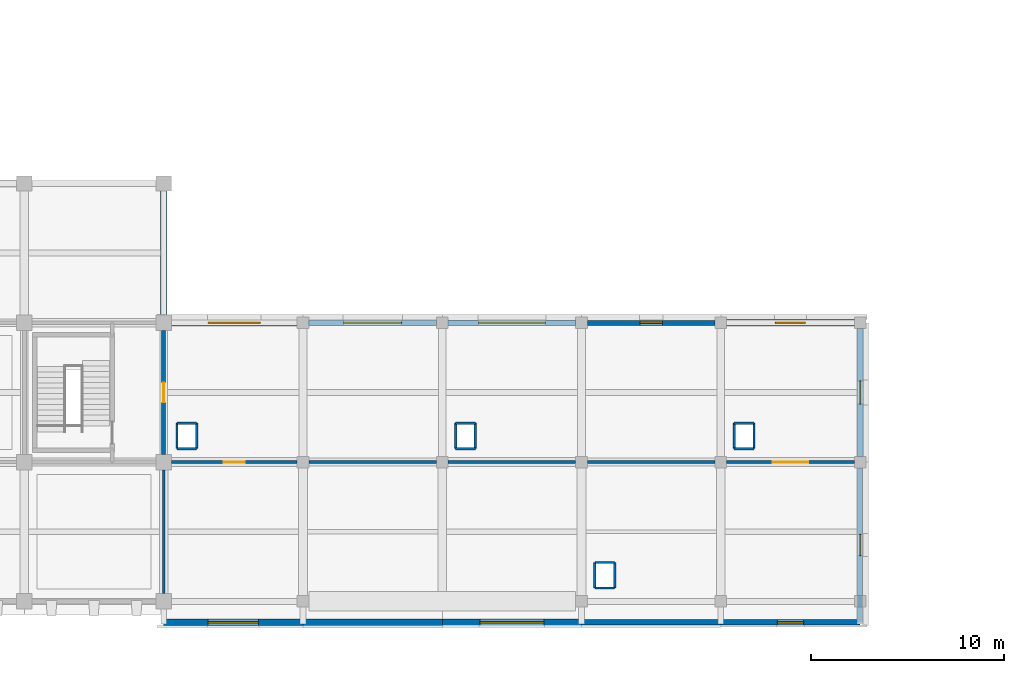
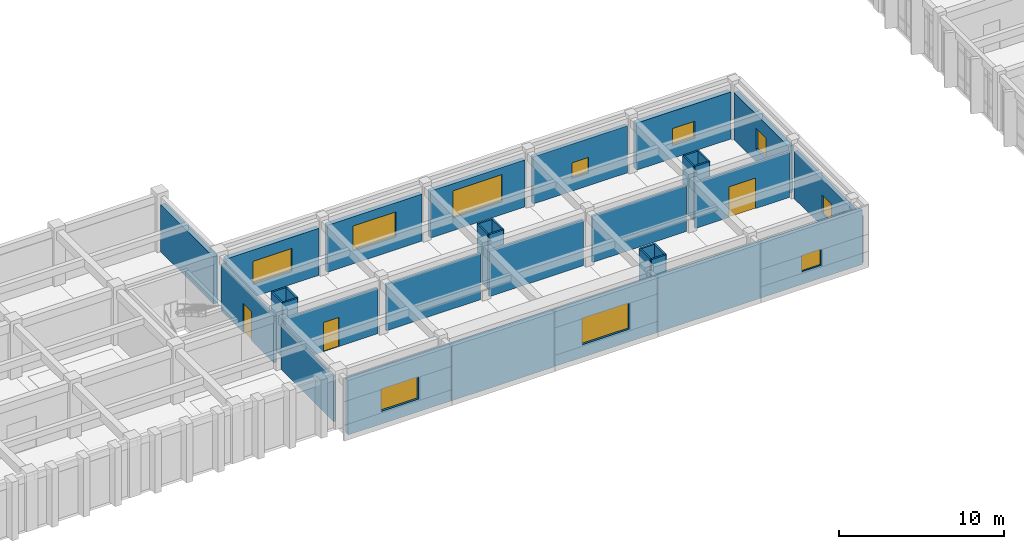
# One storey, part 52 of 70: 36 walls, 10 windows, 3 doors, 13 openings.
"""IFC4 building model written with IfcOpenShell, lengths in metres."""

from ifc_helpers import new_model, si_unit, direction, frame, frame_2d, origin, place, context, subcontext, project, spatial, rectangle, extrude, material, layer, layer_set, type_object, element, fill, save


model = new_model("IFC4")

# Units and contexts
model_context = context("Model", 3, precision=1e-05, world=origin(), true_north=direction((0.0, 1.0)))
body_context = subcontext(model_context, "Body", "Model", "MODEL_VIEW")
ifc_project = project(units=[si_unit("LENGTHUNIT", "METRE"), si_unit("AREAUNIT", "SQUARE_METRE"), si_unit("VOLUMEUNIT", "CUBIC_METRE"), si_unit("PLANEANGLEUNIT", "RADIAN"), si_unit("MASSUNIT", "GRAM", prefix="KILO")], contexts=[model_context])

# Site, building, storey
site_placement = place(None, origin())
site = spatial("IfcSite", under=ifc_project, at=site_placement, CompositionType="ELEMENT")
building_placement = place(site_placement, origin())
building = spatial("IfcBuilding", under=site, at=building_placement, Name="Kavelor Marine Aquarium", CompositionType="ELEMENT")
storey_placement = place(building_placement, frame((0.0, 0.0, 9.179931640625)))
storey = spatial("IfcBuildingStorey", under=building, at=storey_placement, Name="L02", CompositionType="ELEMENT", Elevation=9.179931640625)

# Wall
ifc_material_1 = material(Name="Concrete C45/55", Category="concrete")
ifc_layer_1 = layer(ifc_material_1, 0.360107421875)
ifc_layer_set_1 = layer_set([ifc_layer_1], Name="WL-EX1")
wall_type_1 = type_object("IfcWallType", Name="WL-EX1", PredefinedType="STANDARD", material=ifc_layer_set_1)
wall_1_placement = place(storey_placement, frame((82.39990234375, 1.719970703125, 0.0), z_axis=(0.0, 0.0, 1.0), x_axis=(-1.0, 0.0, 0.0)))
element("IfcWall", 1, at=wall_1_placement, inside=storey, type_object=wall_type_1, Name="ew:x:L02:10_00", PredefinedType="STANDARD", context=body_context, shape_type="SweptSolid", body=[
    extrude(rectangle(XDim=7.199951171875, YDim=0.360107421875, at=frame_2d((3.60009765625, 0.0))), origin(), (0.0, 0.0, 1.0), 4.030029296875),
])

# Wall, opening, window
ifc_material_2 = material(Name="Concrete C45/55", Category="concrete")
ifc_layer_2 = layer(ifc_material_2, 0.320068359375)
ifc_layer_set_2 = layer_set([ifc_layer_2], Name="WL-EX2")
wall_type_2 = type_object("IfcWallType", Name="WL-EX2", PredefinedType="STANDARD", material=ifc_layer_set_2)
wall_2_placement = place(storey_placement, frame((68.39501953125, 17.199951171875, 0.0), z_axis=(0.0, 0.0, 1.0), x_axis=(1.0, 0.0, 0.0)))
wall_2 = element("IfcWall", 2, at=wall_2_placement, inside=storey, type_object=wall_type_2, Name="ew:x:L02:09_02", PredefinedType="STANDARD", context=body_context, shape_type="SweptSolid", body=[
    extrude(rectangle(XDim=6.510009765625, YDim=0.320068359375, at=frame_2d((3.2548828125, 0.0))), origin(), (0.0, 0.0, 1.0), 3.47998046875),
])
opening_1_placement = place(wall_2_placement, frame((1.905029296875, 0.0, 0.949951171875)))
opening_1 = element("IfcOpeningElement", 3, at=opening_1_placement, cuts=wall_2, Name="Opening W17", PredefinedType="OPENING", context=body_context, shape_type="SweptSolid", body=[
    extrude(rectangle(XDim=2.699951171875, YDim=1.699951171875, at=frame_2d((1.35009765625, 0.85009765625))), frame((0.0, 0.169921875, 0.0), z_axis=(0.0, -1.0, 0.0), x_axis=(1.0, 0.0, 0.0)), (0.0, 0.0, 1.0), 0.340068),
])
ifc_material_3 = material(Name="Anodised Aluminium Frame with Low-E Double Glazing", Category="aluminium")
window_type_1 = type_object("IfcWindowType", Name="WIN-W17", PartitioningType="DOUBLE_PANEL_VERTICAL", PredefinedType="WINDOW", material=ifc_material_3)
window_1_placement = place(opening_1_placement, origin())
window_1 = element("IfcWindow", 4, at=window_1_placement, inside=storey, type_object=window_type_1, Name="win:x:L02:09_02", OverallHeight=1.699951171875, OverallWidth=2.699951171875, PartitioningType="SINGLE_PANEL", PredefinedType="WINDOW", context=body_context, shape_type="SweptSolid", body=[
    extrude(rectangle(XDim=2.699951171875, YDim=1.699951171875, at=frame_2d((1.35009765625, 0.85009765625))), frame((0.0, 0.030029296875, 0.0), z_axis=(0.0, -1.0, 0.0), x_axis=(1.0, 0.0, 0.0)), (0.0, 0.0, 1.0), 0.06005859375),
])
fill(opening_1, window_1)

wall_3_placement = place(storey_placement, frame((89.60009765625, 1.719970703125, 0.0), z_axis=(0.0, 0.0, 1.0), x_axis=(-1.0, 0.0, 0.0)))
wall_3 = element("IfcWall", 5, at=wall_3_placement, inside=storey, type_object=wall_type_2, Name="ew:x:L02:11_00", PredefinedType="STANDARD", context=body_context, shape_type="SweptSolid", body=[
    extrude(rectangle(XDim=7.2001953125, YDim=0.320068359375, at=frame_2d((3.60009765625, 0.0))), origin(), (0.0, 0.0, 1.0), 4.030029296875),
])
opening_2_placement = place(wall_3_placement, frame((1.949951171875, 0.0, 0.949951171875)))
opening_2 = element("IfcOpeningElement", 6, at=opening_2_placement, cuts=wall_3, Name="Opening W22", PredefinedType="OPENING", context=body_context, shape_type="SweptSolid", body=[
    extrude(rectangle(XDim=3.300048828125, YDim=1.949951171875, at=frame_2d((1.64990234375, 0.97509765625))), frame((0.0, 0.169921875, 0.0), z_axis=(0.0, -1.0, 0.0), x_axis=(1.0, 0.0, 0.0)), (0.0, 0.0, 1.0), 0.340068),
])
ifc_material_4 = material(Name="Anodised Aluminium Frame with Low-E Double Glazing", Category="aluminium")
window_type_2 = type_object("IfcWindowType", Name="WIN-W22", PartitioningType="DOUBLE_PANEL_VERTICAL", PredefinedType="WINDOW", material=ifc_material_4)
window_2_placement = place(opening_2_placement, origin())
window_2 = element("IfcWindow", 7, at=window_2_placement, inside=storey, type_object=window_type_2, Name="win:x:L02:11_00", OverallHeight=1.949951171875, OverallWidth=3.300048828125, PartitioningType="SINGLE_PANEL", PredefinedType="WINDOW", context=body_context, shape_type="SweptSolid", body=[
    extrude(rectangle(XDim=3.300048828125, YDim=1.949951171875, at=frame_2d((1.64990234375, 0.97509765625))), frame((0.0, 0.030029296875, 0.0), z_axis=(0.0, -1.0, 0.0), x_axis=(1.0, 0.0, 0.0)), (0.0, 0.0, 1.0), 0.06005859375),
])
fill(opening_2, window_2)

# Wall
wall_4_placement = place(storey_placement, frame((68.0, 24.0048828125, 0.0), z_axis=(0.0, 0.0, 1.0), x_axis=(0.0, -1.0, 0.0)))
element("IfcWall", 8, at=wall_4_placement, inside=storey, type_object=wall_type_2, Name="ew:y:L02:09_02", PredefinedType="STANDARD", context=body_context, shape_type="SweptSolid", body=[
    extrude(rectangle(XDim=6.409912109375, YDim=0.320068359375, at=frame_2d((3.205078125, 0.0))), origin(), (0.0, 0.0, 1.0), 3.47998046875),
])

# Wall, opening, window
ifc_material_5 = material(Name="Concrete C40/50", Category="concrete")
ifc_layer_3 = layer(ifc_material_5, 0.300048828125)
ifc_layer_set_3 = layer_set([ifc_layer_3], Name="WL-EX3")
wall_type_3 = type_object("IfcWallType", Name="WL-EX3", PredefinedType="STANDARD", material=ifc_layer_set_3)
wall_5_placement = place(storey_placement, frame((75.4951171875, 17.199951171875, 0.0), z_axis=(0.0, 0.0, 1.0), x_axis=(1.0, 0.0, 0.0)))
wall_5 = element("IfcWall", 9, at=wall_5_placement, inside=storey, type_object=wall_type_3, Name="ew:x:L02:10_02", PredefinedType="STANDARD", context=body_context, shape_type="SweptSolid", body=[
    extrude(rectangle(XDim=6.60986328125, YDim=0.300048828125, at=frame_2d((3.304931640625, 0.0))), origin(), (0.0, 0.0, 1.0), 3.47998046875),
])
opening_3_placement = place(wall_5_placement, frame((1.804931640625, 0.0, 0.949951171875)))
opening_3 = element("IfcOpeningElement", 10, at=opening_3_placement, cuts=wall_5, Name="Opening W20", PredefinedType="OPENING", context=body_context, shape_type="SweptSolid", body=[
    extrude(rectangle(XDim=3.0, YDim=1.85009765625, at=frame_2d((1.5, 0.925048828125))), frame((0.0, 0.159912109375, 0.0), z_axis=(0.0, -1.0, 0.0), x_axis=(1.0, 0.0, 0.0)), (0.0, 0.0, 1.0), 0.320049),
])
ifc_material_6 = material(Name="Anodised Aluminium Frame with Low-E Double Glazing", Category="aluminium")
window_type_3 = type_object("IfcWindowType", Name="WIN-W20", PartitioningType="DOUBLE_PANEL_VERTICAL", PredefinedType="WINDOW", material=ifc_material_6)
window_3_placement = place(opening_3_placement, origin())
window_3 = element("IfcWindow", 11, at=window_3_placement, inside=storey, type_object=window_type_3, Name="win:x:L02:10_02", OverallHeight=1.85009765625, OverallWidth=3.0, PartitioningType="SINGLE_PANEL", PredefinedType="WINDOW", context=body_context, shape_type="SweptSolid", body=[
    extrude(rectangle(XDim=3.0, YDim=1.85009765625, at=frame_2d((1.5, 0.925048828125))), frame((0.0, 0.030029296875, 0.0), z_axis=(0.0, -1.0, 0.0), x_axis=(1.0, 0.0, 0.0)), (0.0, 0.0, 1.0), 0.06005859375),
])
fill(opening_3, window_3)

# Wall
wall_6_placement = place(storey_placement, frame((96.800048828125, 1.719970703125, 0.0), z_axis=(0.0, 0.0, 1.0), x_axis=(-1.0, 0.0, 0.0)))
element("IfcWall", 12, at=wall_6_placement, inside=storey, type_object=wall_type_3, Name="ew:x:L02:12_00", PredefinedType="STANDARD", context=body_context, shape_type="SweptSolid", body=[
    extrude(rectangle(XDim=7.199951171875, YDim=0.300048828125, at=frame_2d((3.60009765625, 0.0))), origin(), (0.0, 0.0, 1.0), 4.030029296875),
])

# Wall, opening, window
ifc_material_7 = material(Name="Concrete C40/50", Category="concrete")
ifc_layer_4 = layer(ifc_material_7, 0.280029296875)
ifc_layer_set_4 = layer_set([ifc_layer_4], Name="WL-EX4")
wall_type_4 = type_object("IfcWallType", Name="WL-EX4", PredefinedType="STANDARD", material=ifc_layer_set_4)
wall_7_placement = place(storey_placement, frame((82.695068359375, 17.199951171875, 0.0), z_axis=(0.0, 0.0, 1.0), x_axis=(1.0, 0.0, 0.0)))
wall_7 = element("IfcWall", 13, at=wall_7_placement, inside=storey, type_object=wall_type_4, Name="ew:x:L02:11_02", PredefinedType="STANDARD", context=body_context, shape_type="SweptSolid", body=[
    extrude(rectangle(XDim=6.60986328125, YDim=0.280029296875, at=frame_2d((3.304931640625, 0.0))), origin(), (0.0, 0.0, 1.0), 3.47998046875),
])
opening_4_placement = place(wall_7_placement, frame((1.580078125, 0.0, 0.949951171875)))
opening_4 = element("IfcOpeningElement", 14, at=opening_4_placement, cuts=wall_7, Name="Opening W23", PredefinedType="OPENING", context=body_context, shape_type="SweptSolid", body=[
    extrude(rectangle(XDim=3.449951171875, YDim=2.0, at=frame_2d((1.72509765625, 1.0))), frame((0.0, 0.14990234375, 0.0), z_axis=(0.0, -1.0, 0.0), x_axis=(1.0, 0.0, 0.0)), (0.0, 0.0, 1.0), 0.300029),
])
ifc_material_8 = material(Name="Anodised Aluminium Frame with Low-E Double Glazing", Category="aluminium")
window_type_4 = type_object("IfcWindowType", Name="WIN-W23", PartitioningType="DOUBLE_PANEL_VERTICAL", PredefinedType="WINDOW", material=ifc_material_8)
window_4_placement = place(opening_4_placement, origin())
window_4 = element("IfcWindow", 15, at=window_4_placement, inside=storey, type_object=window_type_4, Name="win:x:L02:11_02", OverallHeight=2.0, OverallWidth=3.449951171875, PartitioningType="SINGLE_PANEL", PredefinedType="WINDOW", context=body_context, shape_type="SweptSolid", body=[
    extrude(rectangle(XDim=3.449951171875, YDim=2.0, at=frame_2d((1.72509765625, 1.0))), frame((0.0, 0.030029296875, 0.0), z_axis=(0.0, -1.0, 0.0), x_axis=(1.0, 0.0, 0.0)), (0.0, 0.0, 1.0), 0.06005859375),
])
fill(opening_4, window_4)

wall_8_placement = place(storey_placement, frame((104.0, 1.719970703125, 0.0), z_axis=(0.0, 0.0, 1.0), x_axis=(-1.0, 0.0, 0.0)))
wall_8 = element("IfcWall", 16, at=wall_8_placement, inside=storey, type_object=wall_type_4, Name="ew:x:L02:13_00", PredefinedType="STANDARD", context=body_context, shape_type="SweptSolid", body=[
    extrude(rectangle(XDim=7.199951171875, YDim=0.280029296875, at=frame_2d((3.60009765625, 0.0))), origin(), (0.0, 0.0, 1.0), 4.030029296875),
])
opening_5_placement = place(wall_8_placement, frame((2.925048828125, 0.0, 0.949951171875)))
opening_5 = element("IfcOpeningElement", 17, at=opening_5_placement, cuts=wall_8, Name="Opening W26", PredefinedType="OPENING", context=body_context, shape_type="SweptSolid", body=[
    extrude(rectangle(XDim=1.35009765625, YDim=1.199951171875, at=frame_2d((0.675048828125, 0.60009765625))), frame((0.0, 0.14990234375, 0.0), z_axis=(0.0, -1.0, 0.0), x_axis=(1.0, 0.0, 0.0)), (0.0, 0.0, 1.0), 0.300029),
])
ifc_material_9 = material(Name="Anodised Aluminium Frame with Low-E Double Glazing", Category="aluminium")
window_type_5 = type_object("IfcWindowType", Name="WIN-W26", PartitioningType="SINGLE_PANEL", PredefinedType="WINDOW", material=ifc_material_9)
window_5_placement = place(opening_5_placement, origin())
window_5 = element("IfcWindow", 18, at=window_5_placement, inside=storey, type_object=window_type_5, Name="win:x:L02:13_00", OverallHeight=1.199951171875, OverallWidth=1.35009765625, PartitioningType="SINGLE_PANEL", PredefinedType="WINDOW", context=body_context, shape_type="SweptSolid", body=[
    extrude(rectangle(XDim=1.35009765625, YDim=1.199951171875, at=frame_2d((0.675048828125, 0.60009765625))), frame((0.0, 0.030029296875, 0.0), z_axis=(0.0, -1.0, 0.0), x_axis=(1.0, 0.0, 0.0)), (0.0, 0.0, 1.0), 0.06005859375),
])
fill(opening_5, window_5)

ifc_material_10 = material(Name="Concrete C40/50", Category="concrete")
ifc_layer_5 = layer(ifc_material_10, 0.260009765625)
ifc_layer_set_5 = layer_set([ifc_layer_5], Name="WL-EX5")
wall_type_5 = type_object("IfcWallType", Name="WL-EX5", PredefinedType="STANDARD", material=ifc_layer_set_5)
wall_9_placement = place(storey_placement, frame((89.89501953125, 17.199951171875, 0.0), z_axis=(0.0, 0.0, 1.0), x_axis=(1.0, 0.0, 0.0)))
wall_9 = element("IfcWall", 19, at=wall_9_placement, inside=storey, type_object=wall_type_5, Name="ew:x:L02:12_02", PredefinedType="STANDARD", context=body_context, shape_type="SweptSolid", body=[
    extrude(rectangle(XDim=6.60986328125, YDim=0.260009765625, at=frame_2d((3.304931640625, 0.0))), origin(), (0.0, 0.0, 1.0), 3.47998046875),
])
opening_6_placement = place(wall_9_placement, frame((2.72998046875, 0.0, 0.949951171875)))
opening_6 = element("IfcOpeningElement", 20, at=opening_6_placement, cuts=wall_9, Name="Opening W25", PredefinedType="OPENING", context=body_context, shape_type="SweptSolid", body=[
    extrude(rectangle(XDim=1.14990234375, YDim=1.14990234375, at=frame_2d((0.574951171875, 0.574951171875))), frame((0.0, 0.139892578125, 0.0), z_axis=(0.0, -1.0, 0.0), x_axis=(1.0, 0.0, 0.0)), (0.0, 0.0, 1.0), 0.28001),
])
ifc_material_11 = material(Name="Anodised Aluminium Frame with Low-E Double Glazing", Category="aluminium")
window_type_6 = type_object("IfcWindowType", Name="WIN-W25", PartitioningType="SINGLE_PANEL", PredefinedType="WINDOW", material=ifc_material_11)
window_6_placement = place(opening_6_placement, origin())
window_6 = element("IfcWindow", 21, at=window_6_placement, inside=storey, type_object=window_type_6, Name="win:x:L02:12_02", OverallHeight=1.14990234375, OverallWidth=1.14990234375, PartitioningType="SINGLE_PANEL", PredefinedType="WINDOW", context=body_context, shape_type="SweptSolid", body=[
    extrude(rectangle(XDim=1.14990234375, YDim=1.14990234375, at=frame_2d((0.574951171875, 0.574951171875))), frame((0.0, 0.030029296875, 0.0), z_axis=(0.0, -1.0, 0.0), x_axis=(1.0, 0.0, 0.0)), (0.0, 0.0, 1.0), 0.06005859375),
])
fill(opening_6, window_6)

wall_10_placement = place(storey_placement, frame((104.0, 9.705078125, 0.0), z_axis=(0.0, 0.0, 1.0), x_axis=(0.0, -1.0, 0.0)))
wall_10 = element("IfcWall", 22, at=wall_10_placement, inside=storey, type_object=wall_type_5, Name="ew:y:L02:14_00", PredefinedType="STANDARD", context=body_context, shape_type="SweptSolid", body=[
    extrude(rectangle(XDim=7.985107421875, YDim=0.260009765625, at=frame_2d((3.99267578125, 0.0))), origin(), (0.0, 0.0, 1.0), 3.47998046875),
])
opening_7_placement = place(wall_10_placement, frame((3.4423828125, 0.0, 0.949951171875)))
opening_7 = element("IfcOpeningElement", 23, at=opening_7_placement, cuts=wall_10, Name="Opening W01", PredefinedType="OPENING", context=body_context, shape_type="SweptSolid", body=[
    extrude(rectangle(XDim=1.10009765625, YDim=1.39990234375, at=frame_2d((0.550048828125, 0.699951171875))), frame((0.0, 0.139892578125, 0.0), z_axis=(0.0, -1.0, 0.0), x_axis=(1.0, 0.0, 0.0)), (0.0, 0.0, 1.0), 0.28001),
])
ifc_material_12 = material(Name="Anodised Aluminium Frame with Low-E Double Glazing", Category="aluminium")
window_type_7 = type_object("IfcWindowType", Name="WIN-W01", PartitioningType="SINGLE_PANEL", PredefinedType="WINDOW", material=ifc_material_12)
window_7_placement = place(opening_7_placement, origin())
window_7 = element("IfcWindow", 24, at=window_7_placement, inside=storey, type_object=window_type_7, Name="win:y:L02:14_00", OverallHeight=1.39990234375, OverallWidth=1.10009765625, PartitioningType="SINGLE_PANEL", PredefinedType="WINDOW", context=body_context, shape_type="SweptSolid", body=[
    extrude(rectangle(XDim=1.10009765625, YDim=1.39990234375, at=frame_2d((0.550048828125, 0.699951171875))), frame((0.0, 0.030029296875, 0.0), z_axis=(0.0, -1.0, 0.0), x_axis=(1.0, 0.0, 0.0)), (0.0, 0.0, 1.0), 0.06005859375),
])
fill(opening_7, window_7)

ifc_material_13 = material(Name="Concrete C45/55", Category="concrete")
ifc_layer_6 = layer(ifc_material_13, 0.340087890625)
ifc_layer_set_6 = layer_set([ifc_layer_6], Name="WL-EX6")
wall_type_6 = type_object("IfcWallType", Name="WL-EX6", PredefinedType="STANDARD", material=ifc_layer_set_6)
wall_11_placement = place(storey_placement, frame((75.199951171875, 1.719970703125, 0.0), z_axis=(0.0, 0.0, 1.0), x_axis=(-1.0, 0.0, 0.0)))
wall_11 = element("IfcWall", 25, at=wall_11_placement, inside=storey, type_object=wall_type_6, Name="ew:x:L02:09_00", PredefinedType="STANDARD", context=body_context, shape_type="SweptSolid", body=[
    extrude(rectangle(XDim=7.199951171875, YDim=0.340087890625, at=frame_2d((3.60009765625, 0.0))), origin(), (0.0, 0.0, 1.0), 4.030029296875),
])
opening_8_placement = place(wall_11_placement, frame((2.300048828125, 0.0, 0.949951171875)))
opening_8 = element("IfcOpeningElement", 26, at=opening_8_placement, cuts=wall_11, Name="Opening W16", PredefinedType="OPENING", context=body_context, shape_type="SweptSolid", body=[
    extrude(rectangle(XDim=2.60009765625, YDim=1.64990234375, at=frame_2d((1.300048828125, 0.824951171875))), frame((0.0, 0.179931640625, 0.0), z_axis=(0.0, -1.0, 0.0), x_axis=(1.0, 0.0, 0.0)), (0.0, 0.0, 1.0), 0.360088),
])
ifc_material_14 = material(Name="Anodised Aluminium Frame with Low-E Double Glazing", Category="aluminium")
window_type_8 = type_object("IfcWindowType", Name="WIN-W16", PartitioningType="DOUBLE_PANEL_VERTICAL", PredefinedType="WINDOW", material=ifc_material_14)
window_8_placement = place(opening_8_placement, origin())
window_8 = element("IfcWindow", 27, at=window_8_placement, inside=storey, type_object=window_type_8, Name="win:x:L02:09_00", OverallHeight=1.64990234375, OverallWidth=2.60009765625, PartitioningType="SINGLE_PANEL", PredefinedType="WINDOW", context=body_context, shape_type="SweptSolid", body=[
    extrude(rectangle(XDim=2.60009765625, YDim=1.64990234375, at=frame_2d((1.300048828125, 0.824951171875))), frame((0.0, 0.030029296875, 0.0), z_axis=(0.0, -1.0, 0.0), x_axis=(1.0, 0.0, 0.0)), (0.0, 0.0, 1.0), 0.06005859375),
])
fill(opening_8, window_8)

wall_12_placement = place(storey_placement, frame((97.094970703125, 17.199951171875, 0.0), z_axis=(0.0, 0.0, 1.0), x_axis=(1.0, 0.0, 0.0)))
wall_12 = element("IfcWall", 28, at=wall_12_placement, inside=storey, type_object=wall_type_6, Name="ew:x:L02:13_02", PredefinedType="STANDARD", context=body_context, shape_type="SweptSolid", body=[
    extrude(rectangle(XDim=6.610107421875, YDim=0.340087890625, at=frame_2d((3.30517578125, 0.0))), origin(), (0.0, 0.0, 1.0), 3.47998046875),
])
opening_9_placement = place(wall_12_placement, frame((2.530029296875, 0.0, 0.949951171875)))
opening_9 = element("IfcOpeningElement", 29, at=opening_9_placement, cuts=wall_12, Name="Opening W27", PredefinedType="OPENING", context=body_context, shape_type="SweptSolid", body=[
    extrude(rectangle(XDim=1.550048828125, YDim=1.25, at=frame_2d((0.77490234375, 0.625))), frame((0.0, 0.179931640625, 0.0), z_axis=(0.0, -1.0, 0.0), x_axis=(1.0, 0.0, 0.0)), (0.0, 0.0, 1.0), 0.360088),
])
ifc_material_15 = material(Name="Anodised Aluminium Frame with Low-E Double Glazing", Category="aluminium")
window_type_9 = type_object("IfcWindowType", Name="WIN-W27", PartitioningType="SINGLE_PANEL", PredefinedType="WINDOW", material=ifc_material_15)
window_9_placement = place(opening_9_placement, origin())
window_9 = element("IfcWindow", 30, at=window_9_placement, inside=storey, type_object=window_type_9, Name="win:x:L02:13_02", OverallHeight=1.25, OverallWidth=1.550048828125, PartitioningType="SINGLE_PANEL", PredefinedType="WINDOW", context=body_context, shape_type="SweptSolid", body=[
    extrude(rectangle(XDim=1.550048828125, YDim=1.25, at=frame_2d((0.77490234375, 0.625))), frame((0.0, 0.030029296875, 0.0), z_axis=(0.0, -1.0, 0.0), x_axis=(1.0, 0.0, 0.0)), (0.0, 0.0, 1.0), 0.06005859375),
])
fill(opening_9, window_9)

wall_13_placement = place(storey_placement, frame((104.0, 16.905029296875, 0.0), z_axis=(0.0, 0.0, 1.0), x_axis=(0.0, -1.0, 0.0)))
wall_13 = element("IfcWall", 31, at=wall_13_placement, inside=storey, type_object=wall_type_6, Name="ew:y:L02:14_01", PredefinedType="STANDARD", context=body_context, shape_type="SweptSolid", body=[
    extrude(rectangle(XDim=6.610107421875, YDim=0.340087890625, at=frame_2d((3.30517578125, 0.0))), origin(), (0.0, 0.0, 1.0), 3.47998046875),
])
opening_10_placement = place(wall_13_placement, frame((2.705078125, 0.0, 0.949951171875)))
opening_10 = element("IfcOpeningElement", 32, at=opening_10_placement, cuts=wall_13, Name="Opening W02", PredefinedType="OPENING", context=body_context, shape_type="SweptSolid", body=[
    extrude(rectangle(XDim=1.199951171875, YDim=1.5, at=frame_2d((0.60009765625, 0.75))), frame((0.0, 0.179931640625, 0.0), z_axis=(0.0, -1.0, 0.0), x_axis=(1.0, 0.0, 0.0)), (0.0, 0.0, 1.0), 0.360088),
])
ifc_material_16 = material(Name="Anodised Aluminium Frame with Low-E Double Glazing", Category="aluminium")
window_type_10 = type_object("IfcWindowType", Name="WIN-W02", PartitioningType="SINGLE_PANEL", PredefinedType="WINDOW", material=ifc_material_16)
window_10_placement = place(opening_10_placement, origin())
window_10 = element("IfcWindow", 33, at=window_10_placement, inside=storey, type_object=window_type_10, Name="win:y:L02:14_01", OverallHeight=1.5, OverallWidth=1.199951171875, PartitioningType="SINGLE_PANEL", PredefinedType="WINDOW", context=body_context, shape_type="SweptSolid", body=[
    extrude(rectangle(XDim=1.199951171875, YDim=1.5, at=frame_2d((0.60009765625, 0.75))), frame((0.0, 0.030029296875, 0.0), z_axis=(0.0, -1.0, 0.0), x_axis=(1.0, 0.0, 0.0)), (0.0, 0.0, 1.0), 0.06005859375),
])
fill(opening_10, window_10)

# Wall, opening, door
ifc_material_17 = material(Name="Concrete Blockwork Partition", Category="masonry")
ifc_layer_7 = layer(ifc_material_17, 0.199951171875)
ifc_layer_set_7 = layer_set([ifc_layer_7], Name="WL-PT1")
wall_type_7 = type_object("IfcWallType", Name="WL-PT1", PredefinedType="PARTITIONING", material=ifc_layer_set_7)
wall_14_placement = place(storey_placement, frame((68.0, 10.39990234375, 0.0), z_axis=(0.0, 0.0, 1.0), x_axis=(0.0, 1.0, 0.0)))
wall_14 = element("IfcWall", 34, at=wall_14_placement, inside=storey, type_object=wall_type_7, Name="pt:lob:C12:L02:e", PredefinedType="PARTITIONING", context=body_context, shape_type="SweptSolid", body=[
    extrude(rectangle(XDim=6.400146484375, YDim=0.199951171875, at=frame_2d((3.2001953125, 0.0))), origin(), (0.0, 0.0, 1.0), 3.43017578125),
])
opening_11_placement = place(wall_14_placement, frame((2.68994140625, 0.0, 0.0)))
opening_11 = element("IfcOpeningElement", 35, at=opening_11_placement, cuts=wall_14, Name="Opening SD1", PredefinedType="OPENING", context=body_context, shape_type="SweptSolid", body=[
    extrude(rectangle(XDim=1.02001953125, YDim=2.14990234375, at=frame_2d((0.510009765625, 1.074951171875))), frame((0.0, 0.10986328125, 0.0), z_axis=(0.0, -1.0, 0.0), x_axis=(1.0, 0.0, 0.0)), (0.0, 0.0, 1.0), 0.219951),
])
ifc_material_18 = material(Name="Fire-Rated Corridor Compartment Door")
door_type_1 = type_object("IfcDoorType", Name="DR-SD1", OperationType="NOTDEFINED", PredefinedType="DOOR", material=ifc_material_18)
door_1_placement = place(opening_11_placement, origin())
door_1 = element("IfcDoor", 36, at=door_1_placement, inside=storey, type_object=door_type_1, Name="Core Lobby Fire Door C12-L02", OperationType="SINGLE_SWING_RIGHT", OverallHeight=2.14990234375, OverallWidth=1.02001953125, PredefinedType="DOOR", context=body_context, shape_type="SweptSolid", body=[
    extrude(rectangle(XDim=1.02001953125, YDim=2.14990234375, at=frame_2d((0.510009765625, 1.074951171875))), frame((0.0, 0.02490234375, 0.0), z_axis=(0.0, -1.0, 0.0), x_axis=(1.0, 0.0, 0.0)), (0.0, 0.0, 1.0), 0.050048828125),
])
fill(opening_11, door_1)

ifc_material_19 = material(Name="Acoustic Gypsum Stud Partition")
ifc_layer_8 = layer(ifc_material_19, 0.159912109375)
ifc_layer_set_8 = layer_set([ifc_layer_8], Name="WL-PT2")
wall_type_8 = type_object("IfcWallType", Name="WL-PT2", PredefinedType="PARTITIONING", material=ifc_layer_set_8)
wall_15_placement = place(storey_placement, frame((68.39990234375, 10.0, 0.0), z_axis=(0.0, 0.0, 1.0), x_axis=(1.0, 0.0, 0.0)))
wall_15 = element("IfcWall", 37, at=wall_15_placement, inside=storey, type_object=wall_type_8, Name="pt:x:L02:09_00", PredefinedType="PARTITIONING", context=body_context, shape_type="SweptSolid", body=[
    extrude(rectangle(XDim=6.5, YDim=0.159912109375, at=frame_2d((3.25, 0.0))), origin(), (0.0, 0.0, 1.0), 3.380126953125),
])
opening_12_placement = place(wall_15_placement, frame((2.7099609375, 0.0, 0.0)))
opening_12 = element("IfcOpeningElement", 38, at=opening_12_placement, cuts=wall_15, Name="Opening D08", PredefinedType="OPENING", context=body_context, shape_type="SweptSolid", body=[
    extrude(rectangle(XDim=1.080078125, YDim=2.159912109375, at=frame_2d((0.5400390625, 1.080078125))), frame((0.0, 0.08984375, 0.0), z_axis=(0.0, -1.0, 0.0), x_axis=(1.0, 0.0, 0.0)), (0.0, 0.0, 1.0), 0.179912),
])
ifc_material_20 = material(Name="Discovery Wet Lab Vision Door")
door_type_2 = type_object("IfcDoorType", Name="DR-D08", OperationType="NOTDEFINED", PredefinedType="DOOR", material=ifc_material_20)
door_2_placement = place(opening_12_placement, origin())
door_2 = element("IfcDoor", 39, at=door_2_placement, inside=storey, type_object=door_type_2, Name="dr:rm:pt:x:L02:09_00:0", OperationType="SINGLE_SWING_RIGHT", OverallHeight=2.159912109375, OverallWidth=1.080078125, PredefinedType="DOOR", context=body_context, shape_type="SweptSolid", body=[
    extrude(rectangle(XDim=1.080078125, YDim=2.159912109375, at=frame_2d((0.5400390625, 1.080078125))), frame((0.0, 0.02490234375, 0.0), z_axis=(0.0, -1.0, 0.0), x_axis=(1.0, 0.0, 0.0)), (0.0, 0.0, 1.0), 0.050048828125),
])
fill(opening_12, door_2)

# Walls
wall_16_placement = place(storey_placement, frame((75.5, 10.0, 0.0), z_axis=(0.0, 0.0, 1.0), x_axis=(1.0, 0.0, 0.0)))
element("IfcWall", 40, at=wall_16_placement, inside=storey, type_object=wall_type_8, Name="pt:x:L02:10_00", PredefinedType="PARTITIONING", context=body_context, shape_type="SweptSolid", body=[
    extrude(rectangle(XDim=6.60009765625, YDim=0.159912109375, at=frame_2d((3.300048828125, 0.0))), origin(), (0.0, 0.0, 1.0), 3.43017578125),
])
wall_17_placement = place(storey_placement, frame((82.699951171875, 10.0, 0.0), z_axis=(0.0, 0.0, 1.0), x_axis=(1.0, 0.0, 0.0)))
element("IfcWall", 41, at=wall_17_placement, inside=storey, type_object=wall_type_8, Name="pt:x:L02:11_00", PredefinedType="PARTITIONING", context=body_context, shape_type="SweptSolid", body=[
    extrude(rectangle(XDim=6.60009765625, YDim=0.159912109375, at=frame_2d((3.300048828125, 0.0))), origin(), (0.0, 0.0, 1.0), 3.380126953125),
])
wall_18_placement = place(storey_placement, frame((89.89990234375, 10.0, 0.0), z_axis=(0.0, 0.0, 1.0), x_axis=(1.0, 0.0, 0.0)))
element("IfcWall", 42, at=wall_18_placement, inside=storey, type_object=wall_type_8, Name="pt:x:L02:12_00", PredefinedType="PARTITIONING", context=body_context, shape_type="SweptSolid", body=[
    extrude(rectangle(XDim=6.60009765625, YDim=0.159912109375, at=frame_2d((3.300048828125, 0.0))), origin(), (0.0, 0.0, 1.0), 3.43017578125),
])

# Wall, opening, door
wall_19_placement = place(storey_placement, frame((97.10009765625, 10.0, 0.0), z_axis=(0.0, 0.0, 1.0), x_axis=(1.0, 0.0, 0.0)))
wall_19 = element("IfcWall", 43, at=wall_19_placement, inside=storey, type_object=wall_type_8, Name="pt:x:L02:13_00", PredefinedType="PARTITIONING", context=body_context, shape_type="SweptSolid", body=[
    extrude(rectangle(XDim=6.599853515625, YDim=0.159912109375, at=frame_2d((3.2998046875, 0.0))), origin(), (0.0, 0.0, 1.0), 3.380126953125),
])
opening_13_placement = place(wall_19_placement, frame((2.3701171875, 0.0, 0.0)))
opening_13 = element("IfcOpeningElement", 44, at=opening_13_placement, cuts=wall_19, Name="Opening D13", PredefinedType="OPENING", context=body_context, shape_type="SweptSolid", body=[
    extrude(rectangle(XDim=1.860107421875, YDim=2.260009765625, at=frame_2d((0.93017578125, 1.1298828125))), frame((0.0, 0.08984375, 0.0), z_axis=(0.0, -1.0, 0.0), x_axis=(1.0, 0.0, 0.0)), (0.0, 0.0, 1.0), 0.179912),
])
ifc_material_21 = material(Name="Main Foyer Exhibition Double Door")
door_type_3 = type_object("IfcDoorType", Name="DR-D13", OperationType="NOTDEFINED", PredefinedType="DOOR", material=ifc_material_21)
door_3_placement = place(opening_13_placement, origin())
door_3 = element("IfcDoor", 45, at=door_3_placement, inside=storey, type_object=door_type_3, Name="dr:rm:pt:x:L02:13_00:1", OperationType="DOUBLE_DOOR_SINGLE_SWING", OverallHeight=2.260009765625, OverallWidth=1.860107421875, PredefinedType="DOOR", context=body_context, shape_type="SweptSolid", body=[
    extrude(rectangle(XDim=1.860107421875, YDim=2.260009765625, at=frame_2d((0.93017578125, 1.1298828125))), frame((0.0, 0.02490234375, 0.0), z_axis=(0.0, -1.0, 0.0), x_axis=(1.0, 0.0, 0.0)), (0.0, 0.0, 1.0), 0.050048828125),
])
fill(opening_13, door_3)

# Walls
ifc_material_22 = material(Name="Lightweight Drywall Partition")
ifc_layer_9 = layer(ifc_material_22, 0.1201171875)
ifc_layer_set_9 = layer_set([ifc_layer_9], Name="WL-PT4")
wall_type_9 = type_object("IfcWallType", Name="WL-PT4", PredefinedType="PARTITIONING", material=ifc_layer_set_9)
for number, where, z_axis, x_axis, name in (
    (46, (68.68994140625, 10.68994140625, 0.0), (0.0, 0.0, 1.0), (1.0, 0.0, 0.0), "riser:s:L02:09_01"),
    (47, (68.68994140625, 12.010009765625, 0.0), (0.0, 0.0, 1.0), (1.0, 0.0, 0.0), "riser:n:L02:09_01"),
):
    element("IfcWall", number, at=place(storey_placement, frame(where, z_axis=z_axis, x_axis=x_axis)), inside=storey, type_object=wall_type_9, Name=name, PredefinedType="PARTITIONING", context=body_context, shape_type="SweptSolid", body=[
        extrude(rectangle(XDim=1.02001953125, YDim=0.1201171875, at=frame_2d((0.510009765625, 0.0))), origin(), (0.0, 0.0, 1.0), 4.02001953125),
    ])
for number, where, z_axis, x_axis, name in (
    (48, (68.68994140625, 10.68994140625, 0.0), (0.0, 0.0, 1.0), (0.0, 1.0, 0.0), "riser:w:L02:09_01"),
    (49, (69.7099609375, 10.68994140625, 0.0), (0.0, 0.0, 1.0), (0.0, 1.0, 0.0), "riser:e:L02:09_01"),
):
    element("IfcWall", number, at=place(storey_placement, frame(where, z_axis=z_axis, x_axis=x_axis)), inside=storey, type_object=wall_type_9, Name=name, PredefinedType="PARTITIONING", context=body_context, shape_type="SweptSolid", body=[
        extrude(rectangle(XDim=1.320068359375, YDim=0.1201171875, at=frame_2d((0.66015625, 0.0))), origin(), (0.0, 0.0, 1.0), 4.02001953125),
    ])
for number, where, z_axis, x_axis, name in (
    (50, (83.090087890625, 10.68994140625, 0.0), (0.0, 0.0, 1.0), (1.0, 0.0, 0.0), "riser:s:L02:11_01"),
    (51, (83.090087890625, 12.010009765625, 0.0), (0.0, 0.0, 1.0), (1.0, 0.0, 0.0), "riser:n:L02:11_01"),
):
    element("IfcWall", number, at=place(storey_placement, frame(where, z_axis=z_axis, x_axis=x_axis)), inside=storey, type_object=wall_type_9, Name=name, PredefinedType="PARTITIONING", context=body_context, shape_type="SweptSolid", body=[
        extrude(rectangle(XDim=1.02001953125, YDim=0.1201171875, at=frame_2d((0.510009765625, 0.0))), origin(), (0.0, 0.0, 1.0), 4.02001953125),
    ])
for number, where, z_axis, x_axis, name in (
    (52, (83.090087890625, 10.68994140625, 0.0), (0.0, 0.0, 1.0), (0.0, 1.0, 0.0), "riser:w:L02:11_01"),
    (53, (84.110107421875, 10.68994140625, 0.0), (0.0, 0.0, 1.0), (0.0, 1.0, 0.0), "riser:e:L02:11_01"),
):
    element("IfcWall", number, at=place(storey_placement, frame(where, z_axis=z_axis, x_axis=x_axis)), inside=storey, type_object=wall_type_9, Name=name, PredefinedType="PARTITIONING", context=body_context, shape_type="SweptSolid", body=[
        extrude(rectangle(XDim=1.320068359375, YDim=0.1201171875, at=frame_2d((0.66015625, 0.0))), origin(), (0.0, 0.0, 1.0), 4.02001953125),
    ])
for number, where, z_axis, x_axis, name in (
    (54, (90.2900390625, 3.489990234375, 0.0), (0.0, 0.0, 1.0), (1.0, 0.0, 0.0), "riser:s:L02:12_00"),
    (55, (90.2900390625, 4.81005859375, 0.0), (0.0, 0.0, 1.0), (1.0, 0.0, 0.0), "riser:n:L02:12_00"),
):
    element("IfcWall", number, at=place(storey_placement, frame(where, z_axis=z_axis, x_axis=x_axis)), inside=storey, type_object=wall_type_9, Name=name, PredefinedType="PARTITIONING", context=body_context, shape_type="SweptSolid", body=[
        extrude(rectangle(XDim=1.02001953125, YDim=0.1201171875, at=frame_2d((0.510009765625, 0.0))), origin(), (0.0, 0.0, 1.0), 4.02001953125),
    ])
for number, where, z_axis, x_axis, name in (
    (56, (90.2900390625, 3.489990234375, 0.0), (0.0, 0.0, 1.0), (0.0, 1.0, 0.0), "riser:w:L02:12_00"),
    (57, (91.31005859375, 3.489990234375, 0.0), (0.0, 0.0, 1.0), (0.0, 1.0, 0.0), "riser:e:L02:12_00"),
):
    element("IfcWall", number, at=place(storey_placement, frame(where, z_axis=z_axis, x_axis=x_axis)), inside=storey, type_object=wall_type_9, Name=name, PredefinedType="PARTITIONING", context=body_context, shape_type="SweptSolid", body=[
        extrude(rectangle(XDim=1.320068359375, YDim=0.1201171875, at=frame_2d((0.66015625, 0.0))), origin(), (0.0, 0.0, 1.0), 4.02001953125),
    ])
for number, where, z_axis, x_axis, name in (
    (58, (97.489990234375, 10.68994140625, 0.0), (0.0, 0.0, 1.0), (1.0, 0.0, 0.0), "riser:s:L02:13_01"),
    (59, (97.489990234375, 12.010009765625, 0.0), (0.0, 0.0, 1.0), (1.0, 0.0, 0.0), "riser:n:L02:13_01"),
):
    element("IfcWall", number, at=place(storey_placement, frame(where, z_axis=z_axis, x_axis=x_axis)), inside=storey, type_object=wall_type_9, Name=name, PredefinedType="PARTITIONING", context=body_context, shape_type="SweptSolid", body=[
        extrude(rectangle(XDim=1.02001953125, YDim=0.1201171875, at=frame_2d((0.510009765625, 0.0))), origin(), (0.0, 0.0, 1.0), 4.02001953125),
    ])
for number, where, z_axis, x_axis, name in (
    (60, (97.489990234375, 10.68994140625, 0.0), (0.0, 0.0, 1.0), (0.0, 1.0, 0.0), "riser:w:L02:13_01"),
    (61, (98.510009765625, 10.68994140625, 0.0), (0.0, 0.0, 1.0), (0.0, 1.0, 0.0), "riser:e:L02:13_01"),
):
    element("IfcWall", number, at=place(storey_placement, frame(where, z_axis=z_axis, x_axis=x_axis)), inside=storey, type_object=wall_type_9, Name=name, PredefinedType="PARTITIONING", context=body_context, shape_type="SweptSolid", body=[
        extrude(rectangle(XDim=1.320068359375, YDim=0.1201171875, at=frame_2d((0.66015625, 0.0))), origin(), (0.0, 0.0, 1.0), 4.02001953125),
    ])
wall_20_placement = place(storey_placement, frame((68.0, 3.199951171875, 0.0), z_axis=(0.0, 0.0, 1.0), x_axis=(0.0, 1.0, 0.0)))
element("IfcWall", 62, at=wall_20_placement, inside=storey, type_object=wall_type_9, Name="pt:y:L02:08_00", PredefinedType="PARTITIONING", context=body_context, shape_type="SweptSolid", body=[
    extrude(rectangle(XDim=6.400146484375, YDim=0.1201171875, at=frame_2d((3.2001953125, 0.0))), origin(), (0.0, 0.0, 1.0), 3.360107421875),
])

save(model, "model.ifc")
